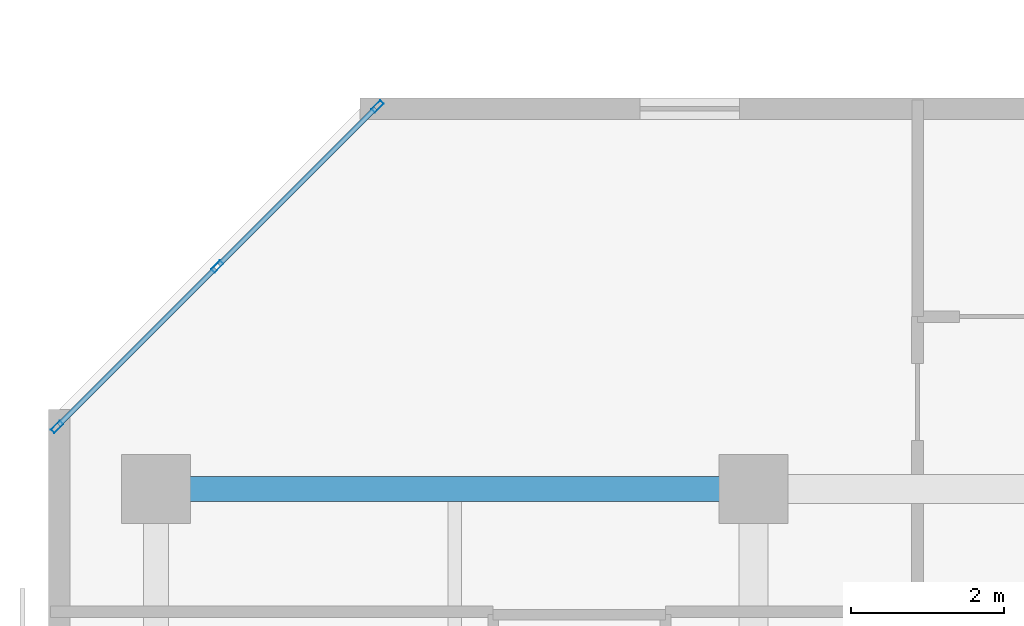
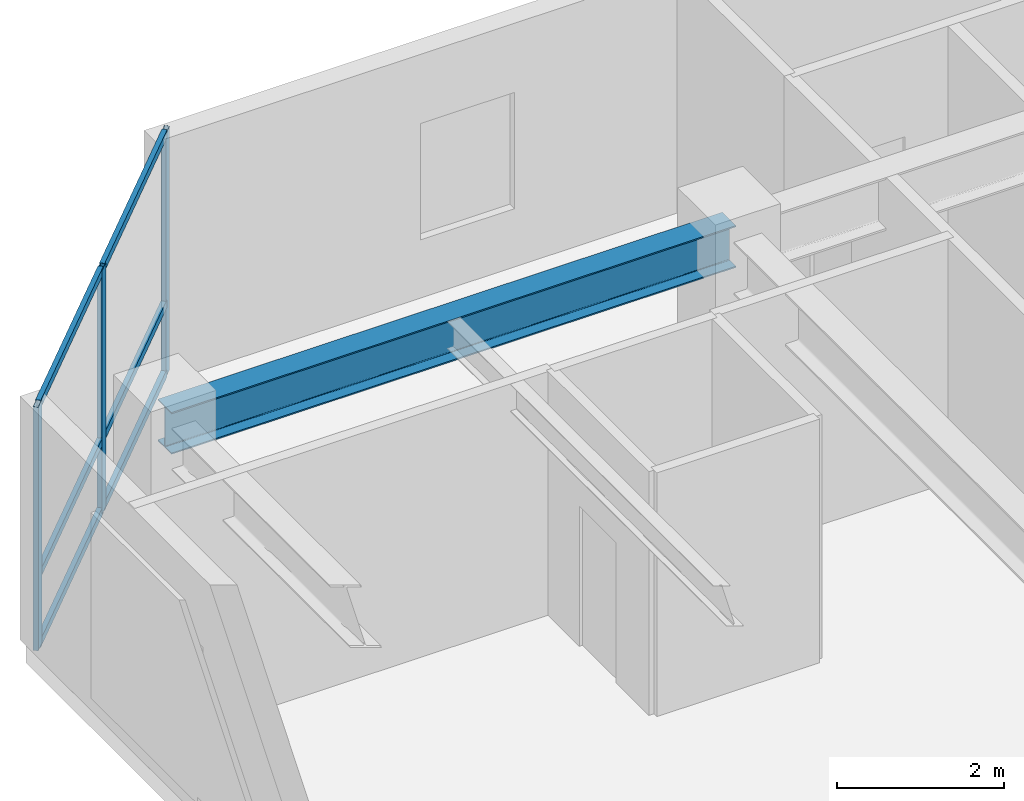
# One storey, part 2 of 11: 9 members, 1 beam, 1 element without a shape of its own.
"""IFC4 building model written with IfcOpenShell, lengths in metres."""

from ifc_helpers import new_model, si_unit, direction, frame, origin, origin_2d, place, context, subcontext, project, spatial, hollow_rectangle, i_section, extrude, material, layer, layer_set, material_profile, profile_set, type_object, element, aggregate, save


model = new_model("IFC4")

# Units and contexts
model_context = context("Model", 3, precision=1e-05, world=origin(), true_north=direction((0.0, 1.0)))
body_context = subcontext(model_context, "Body", "Model", "MODEL_VIEW")
ifc_project = project(units=[si_unit("LENGTHUNIT", "METRE"), si_unit("AREAUNIT", "SQUARE_METRE"), si_unit("VOLUMEUNIT", "CUBIC_METRE"), si_unit("PLANEANGLEUNIT", "RADIAN"), si_unit("MASSUNIT", "GRAM", prefix="KILO")], contexts=[model_context])

# Site, building, storey
site_placement = place(None, origin())
site = spatial("IfcSite", under=ifc_project, at=site_placement, CompositionType="ELEMENT")
building_placement = place(site_placement, origin())
building = spatial("IfcBuilding", under=site, at=building_placement, Name="Kestravale Grand Hotel", CompositionType="ELEMENT")
storey_placement = place(building_placement, frame((0.0, 0.0, 228.0)))
storey = spatial("IfcBuildingStorey", under=building, at=storey_placement, Name="L57", CompositionType="ELEMENT", Elevation=228.0)

# Beam
ifc_material_1 = material(Name="Steel ASTM A992 Grade 50", Category="steel")
ifc_material_profile_1 = material_profile(ifc_material_1, i_section(OverallWidth=0.324951171875, OverallDepth=0.612060546875, WebThickness=0.0126953125, FlangeThickness=0.01904296875, FilletRadius=0.018798828125, at=origin_2d()))
ifc_profile_set_1 = profile_set([ifc_material_profile_1], Name="Steel ASTM A992 Grade 50")
beam_type = type_object("IfcBeamType", Name="B-FLR-W24A", PredefinedType="SPANDREL", material=ifc_profile_set_1)
beam_placement = place(storey_placement, frame((7.800048828125, 38.39990234375, 3.25390625), z_axis=(1.0, 0.0, 0.0), x_axis=(0.0, 1.0, 0.0)))
element("IfcBeam", 1, at=beam_placement, inside=storey, type_object=beam_type, Name="L57 spandrel F:2-3", PredefinedType="SPANDREL", context=body_context, shape_type="SweptSolid", body=[
    extrude(i_section(OverallWidth=0.324951171875, OverallDepth=0.612060546875, WebThickness=0.0126953125, FlangeThickness=0.01904296875, FilletRadius=0.018798828125, at=origin_2d()), origin(), (0.0, 0.0, 1.0), 7.800048828125),
])

# Curtain wall, members
ifc_material_2 = material(Name="Thermally broken champagne-bronze aluminium and low-E glazing", Category="aluminium")
ifc_layer = layer(ifc_material_2, 0.179931640625)
ifc_layer_set = layer_set([ifc_layer], Name="CW-Z3")
curtain_wall_type = type_object("IfcCurtainWallType", Name="CW-Z3", PredefinedType="NOTDEFINED", material=ifc_layer_set)
curtain_wall_placement = place(storey_placement, origin())
curtain_wall = element("IfcCurtainWall", 2, at=curtain_wall_placement, inside=storey, type_object=curtain_wall_type, Name="L57 unitised curtain wall 18", PredefinedType="NOTDEFINED")
ifc_material_3 = material(Name="Aluminium 6063-T6 anodised", Category="aluminium")
ifc_material_profile_2 = material_profile(ifc_material_3, hollow_rectangle(XDim=0.06494140625, YDim=0.1650390625, WallThickness=0.00341796875, at=origin_2d()))
ifc_profile_set_2 = profile_set([ifc_material_profile_2], Name="Aluminium 6063-T6 anodised")
member_type_1 = type_object("IfcMemberType", Name="CW-MUL-165", PredefinedType="MULLION", material=ifc_profile_set_2)
member_1_placement = place(storey_placement, frame((10.690185546875, 43.392333984375, 0.0), z_axis=(0.0, 0.0, 1.0), x_axis=(0.707106781187, -0.707106781187, 0.0)))
member_1 = element("IfcMember", 3, at=member_1_placement, type_object=member_type_1, Name="CW-Z3 mullion 1", PredefinedType="MULLION", context=body_context, shape_type="SweptSolid", body=[
    extrude(hollow_rectangle(XDim=0.06494140625, YDim=0.1650390625, WallThickness=0.00341796875, at=origin_2d()), origin(), (0.0, 0.0, 1.0), 3.56005859375),
])
member_2_placement = place(storey_placement, frame((8.59912109375, 41.301025390625, 0.0), z_axis=(0.0, 0.0, 1.0), x_axis=(0.707106781187, -0.707106781187, 0.0)))
member_2 = element("IfcMember", 4, at=member_2_placement, type_object=member_type_1, Name="CW-Z3 mullion 2", PredefinedType="MULLION", context=body_context, shape_type="SweptSolid", body=[
    extrude(hollow_rectangle(XDim=0.06494140625, YDim=0.1650390625, WallThickness=0.00341796875, at=origin_2d()), origin(), (0.0, 0.0, 1.0), 3.56005859375),
])
member_3_placement = place(storey_placement, frame((6.5078125, 39.209716796875, 0.0), z_axis=(0.0, 0.0, 1.0), x_axis=(0.707106781187, -0.707106781187, 0.0)))
member_3 = element("IfcMember", 5, at=member_3_placement, type_object=member_type_1, Name="CW-Z3 mullion 3", PredefinedType="MULLION", context=body_context, shape_type="SweptSolid", body=[
    extrude(hollow_rectangle(XDim=0.06494140625, YDim=0.1650390625, WallThickness=0.00341796875, at=origin_2d()), origin(), (0.0, 0.0, 1.0), 3.56005859375),
])
ifc_material_4 = material(Name="Aluminium 6063-T6 anodised", Category="aluminium")
ifc_material_profile_3 = material_profile(ifc_material_4, hollow_rectangle(XDim=0.06494140625, YDim=0.114990234375, WallThickness=0.003173828125, at=origin_2d()))
ifc_profile_set_3 = profile_set([ifc_material_profile_3], Name="Aluminium 6063-T6 anodised")
member_type_2 = type_object("IfcMemberType", Name="CW-TRN-115", PredefinedType="USERDEFINED", material=ifc_profile_set_3)
member_4_placement = place(storey_placement, frame((10.667236328125, 43.369140625, 0.032470703125), z_axis=(-0.707106781187, -0.707106781187, 0.0), x_axis=(0.707106781187, -0.707106781187, 0.0)))
member_4 = element("IfcMember", 6, at=member_4_placement, type_object=member_type_2, Name="CW-Z3 transom 1.1", ObjectType="TRANSOM", PredefinedType="USERDEFINED", context=body_context, shape_type="SweptSolid", body=[
    extrude(hollow_rectangle(XDim=0.06494140625, YDim=0.114990234375, WallThickness=0.003173828125, at=origin_2d()), origin(), (0.0, 0.0, 1.0), 2.892333984375),
])
member_5_placement = place(storey_placement, frame((10.667236328125, 43.369140625, 1.050048828125), z_axis=(-0.707106781187, -0.707106781187, 0.0), x_axis=(0.707106781187, -0.707106781187, 0.0)))
member_5 = element("IfcMember", 7, at=member_5_placement, type_object=member_type_2, Name="CW-Z3 transom 1.2", ObjectType="TRANSOM", PredefinedType="USERDEFINED", context=body_context, shape_type="SweptSolid", body=[
    extrude(hollow_rectangle(XDim=0.06494140625, YDim=0.114990234375, WallThickness=0.003173828125, at=origin_2d()), origin(), (0.0, 0.0, 1.0), 2.892333984375),
])
member_6_placement = place(storey_placement, frame((10.667236328125, 43.369140625, 3.527587890625), z_axis=(-0.707106781187, -0.707106781187, 0.0), x_axis=(0.707106781187, -0.707106781187, 0.0)))
member_6 = element("IfcMember", 8, at=member_6_placement, type_object=member_type_2, Name="CW-Z3 transom 1.3", ObjectType="TRANSOM", PredefinedType="USERDEFINED", context=body_context, shape_type="SweptSolid", body=[
    extrude(hollow_rectangle(XDim=0.06494140625, YDim=0.114990234375, WallThickness=0.003173828125, at=origin_2d()), origin(), (0.0, 0.0, 1.0), 2.892333984375),
])
member_7_placement = place(storey_placement, frame((8.575927734375, 41.278076171875, 0.032470703125), z_axis=(-0.707064577195, -0.707148982659, 0.0), x_axis=(0.707148982659, -0.707064577195, 0.0)))
member_7 = element("IfcMember", 9, at=member_7_placement, type_object=member_type_2, Name="CW-Z3 transom 2.1", ObjectType="TRANSOM", PredefinedType="USERDEFINED", context=body_context, shape_type="SweptSolid", body=[
    extrude(hollow_rectangle(XDim=0.06494140625, YDim=0.114990234375, WallThickness=0.003173828125, at=origin_2d()), origin(), (0.0, 0.0, 1.0), 2.892578125),
])
member_8_placement = place(storey_placement, frame((8.575927734375, 41.278076171875, 1.050048828125), z_axis=(-0.707064577195, -0.707148982659, 0.0), x_axis=(0.707148982659, -0.707064577195, 0.0)))
member_8 = element("IfcMember", 10, at=member_8_placement, type_object=member_type_2, Name="CW-Z3 transom 2.2", ObjectType="TRANSOM", PredefinedType="USERDEFINED", context=body_context, shape_type="SweptSolid", body=[
    extrude(hollow_rectangle(XDim=0.06494140625, YDim=0.114990234375, WallThickness=0.003173828125, at=origin_2d()), origin(), (0.0, 0.0, 1.0), 2.892578125),
])
member_9_placement = place(storey_placement, frame((8.575927734375, 41.278076171875, 3.527587890625), z_axis=(-0.707064577195, -0.707148982659, 0.0), x_axis=(0.707148982659, -0.707064577195, 0.0)))
member_9 = element("IfcMember", 11, at=member_9_placement, type_object=member_type_2, Name="CW-Z3 transom 2.3", ObjectType="TRANSOM", PredefinedType="USERDEFINED", context=body_context, shape_type="SweptSolid", body=[
    extrude(hollow_rectangle(XDim=0.06494140625, YDim=0.114990234375, WallThickness=0.003173828125, at=origin_2d()), origin(), (0.0, 0.0, 1.0), 2.892578125),
])
aggregate(curtain_wall, [member_1, member_2, member_3, member_4, member_5, member_6, member_7, member_8, member_9])

save(model, "model.ifc")
